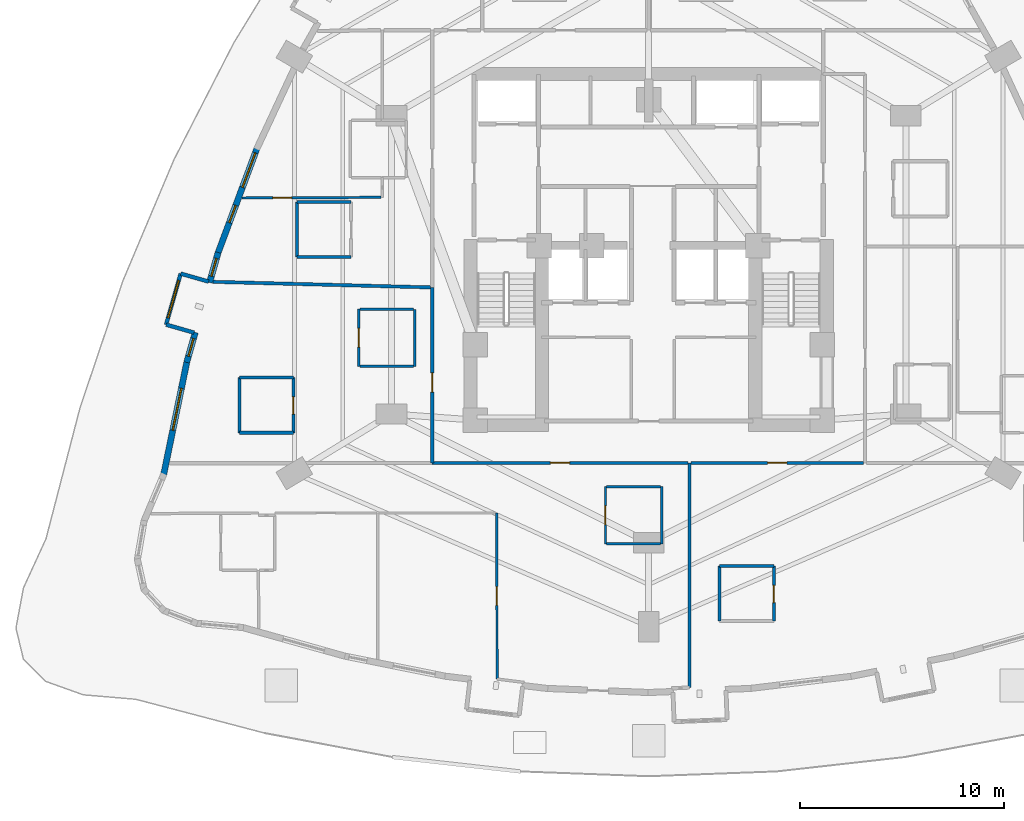
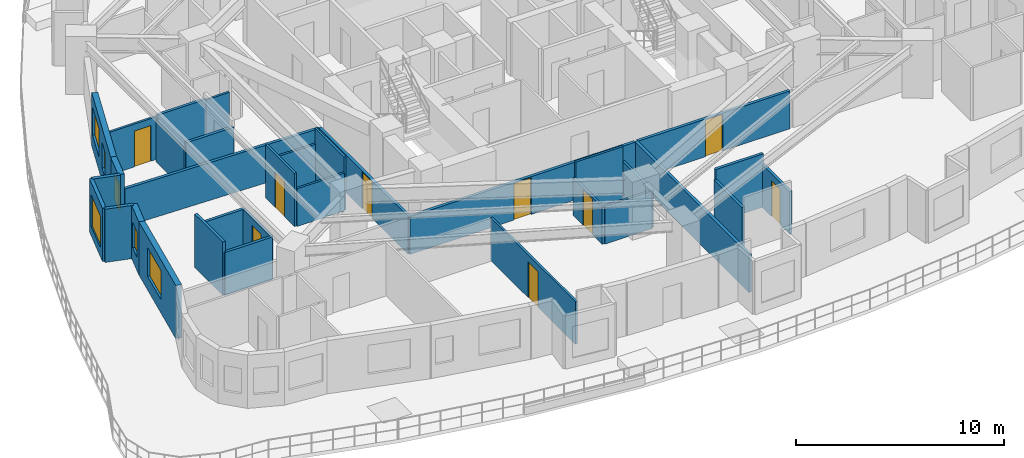
# One storey, part 9 of 17: 32 walls, 9 doors, 6 windows, 15 openings.
"""IFC4 building model written with IfcOpenShell, lengths in metres."""

from ifc_helpers import new_model, si_unit, direction, frame, frame_2d, origin, place, context, subcontext, project, spatial, rectangle, extrude, material, layer, layer_set, type_object, element, fill, save


model = new_model("IFC4")

# Units and contexts
model_context = context("Model", 3, precision=1e-05, world=origin(), true_north=direction((0.0, 1.0)))
body_context = subcontext(model_context, "Body", "Model", "MODEL_VIEW")
ifc_project = project(units=[si_unit("LENGTHUNIT", "METRE"), si_unit("AREAUNIT", "SQUARE_METRE"), si_unit("VOLUMEUNIT", "CUBIC_METRE"), si_unit("PLANEANGLEUNIT", "RADIAN"), si_unit("MASSUNIT", "GRAM", prefix="KILO")], contexts=[model_context])

# Site, building, storey
site_placement = place(None, origin())
site = spatial("IfcSite", under=ifc_project, at=site_placement, CompositionType="ELEMENT")
building_placement = place(site_placement, origin())
building = spatial("IfcBuilding", under=site, at=building_placement, Name="Miruveldt Soraemaru", CompositionType="ELEMENT")
storey_placement = place(building_placement, frame((0.0, 0.0, 29.199951171875)))
storey = spatial("IfcBuildingStorey", under=building, at=storey_placement, Name="L07", CompositionType="ELEMENT", Elevation=29.199951171875)

# Walls
ifc_material_1 = material(Name="White powder-coated aluminium EN AW-6060 T6", Category="aluminium")
ifc_layer_1 = layer(ifc_material_1, 0.18994140625, Name="White powder-coated aluminium EN AW-6060 T6", Category="aluminium")
ifc_layer_set_1 = layer_set([ifc_layer_1], Name="White powder-coated aluminium EN AW-6060 T6")
wall_type_1 = type_object("IfcWallType", Name="WALL-BAY-ALU190", PredefinedType="SOLIDWALL", material=ifc_layer_set_1)
wall_1_placement = place(storey_placement, frame((22.44482421875, 42.28369140625, 0.0), z_axis=(0.0, 0.0, 1.0), x_axis=(-0.961407497968, 0.27512837522, 0.0)))
element("IfcWall", 1, at=wall_1_placement, inside=storey, type_object=wall_type_1, Name="L07 Bay Window Side Cheek 3L", PredefinedType="SOLIDWALL", context=body_context, shape_type="SweptSolid", body=[
    extrude(rectangle(XDim=1.425048828125, YDim=0.18994140625, at=frame_2d((0.71240234375, 0.0))), origin(), (0.0, 0.0, 1.0), 3.125),
])
wall_2_placement = place(storey_placement, frame((20.35986328125, 40.17578125, 0.0), z_axis=(0.0, 0.0, 1.0), x_axis=(0.961439844578, -0.275015318223, 0.0)))
element("IfcWall", 2, at=wall_2_placement, inside=storey, type_object=wall_type_1, Name="L07 Bay Window Side Cheek 3R", PredefinedType="SOLIDWALL", context=body_context, shape_type="SweptSolid", body=[
    extrude(rectangle(XDim=1.4248046875, YDim=0.18994140625, at=frame_2d((0.71240234375, 0.0))), origin(), (0.0, 0.0, 1.0), 3.125),
])

# Wall, opening, window
wall_3_placement = place(storey_placement, frame((21.07470703125, 42.67578125, 0.0), z_axis=(0.0, 0.0, 1.0), x_axis=(-0.274919538046, -0.961467236883, 0.0)))
wall_3 = element("IfcWall", 3, at=wall_3_placement, inside=storey, type_object=wall_type_1, Name="L07 Bay Window Front Frame 3", PredefinedType="SOLIDWALL", context=body_context, shape_type="SweptSolid", body=[
    extrude(rectangle(XDim=2.60009765625, YDim=0.18994140625, at=frame_2d((1.300048828125, 0.0))), origin(), (0.0, 0.0, 1.0), 3.125),
])
opening_1_placement = place(wall_3_placement, frame((0.35009765625, 0.0, 0.550048828125)))
opening_1 = element("IfcOpeningElement", 4, at=opening_1_placement, cuts=wall_3, Name="Opening WN-6", PredefinedType="OPENING", context=body_context, shape_type="SweptSolid", body=[
    extrude(rectangle(XDim=1.89990234375, YDim=1.85009765625, at=frame_2d((0.949951171875, 0.925048828125))), frame((0.0, 0.10498046875, 0.0), z_axis=(0.0, -1.0, 0.0), x_axis=(1.0, 0.0, 0.0)), (0.0, 0.0, 1.0), 0.2099609375),
])
ifc_material_2 = material(Name="Triple low-e insulated glazing", Category="glass")
window_type_1 = type_object("IfcWindowType", Name="WIN-BAYW-1900x1850", PartitioningType="SINGLE_PANEL", PredefinedType="WINDOW", material=ifc_material_2)
window_1_placement = place(opening_1_placement, origin())
window_1 = element("IfcWindow", 5, at=window_1_placement, inside=storey, type_object=window_type_1, Name="L07 Projecting Bay Window 3", OverallHeight=1.85009765625, OverallWidth=1.89990234375, PartitioningType="SINGLE_PANEL", PredefinedType="WINDOW", context=body_context, shape_type="SweptSolid", body=[
    extrude(rectangle(XDim=1.89990234375, YDim=1.85009765625, at=frame_2d((0.949951171875, 0.925048828125))), frame((0.0, 0.030029296875, 0.0), z_axis=(0.0, -1.0, 0.0), x_axis=(1.0, 0.0, 0.0)), (0.0, 0.0, 1.0), 0.06005859375),
])
fill(opening_1, window_1)

# Wall, openings, windows
ifc_material_3 = material(Name="Precast concrete C45/55 (45 MPa)", Category="concrete")
ifc_layer_2 = layer(ifc_material_3, 0.300048828125, Name="Precast concrete C45/55 (45 MPa)", Category="concrete")
ifc_layer_set_2 = layer_set([ifc_layer_2], Name="Precast concrete C45/55 (45 MPa)")
wall_type_2 = type_object("IfcWallType", Name="WALL-EXT-PC300", PredefinedType="SOLIDWALL", material=ifc_layer_set_2)
wall_4_placement = place(storey_placement, frame((24.820556640625, 48.832763671875, 0.0), z_axis=(0.0, 0.0, 1.0), x_axis=(-0.349000413077, -0.93712257025, 0.0)))
wall_4 = element("IfcWall", 6, at=wall_4_placement, inside=storey, type_object=wall_type_2, Name="L07 Precast Concrete Facade Wall 12", PredefinedType="SOLIDWALL", context=body_context, shape_type="SweptSolid", body=[
    extrude(rectangle(XDim=5.53466796875, YDim=0.300048828125, at=frame_2d((2.767333984375, 0.0))), origin(), (0.0, 0.0, 1.0), 3.125),
])
opening_2_placement = place(wall_4_placement, frame((0.258056640625, 0.0, 0.800048828125)))
opening_2 = element("IfcOpeningElement", 7, at=opening_2_placement, cuts=wall_4, Name="Opening WN-2", PredefinedType="OPENING", context=body_context, shape_type="SweptSolid", body=[
    extrude(rectangle(XDim=1.800048828125, YDim=1.64990234375, at=frame_2d((0.89990234375, 0.824951171875))), frame((0.0, 0.16015625, 0.0), z_axis=(0.0, -1.0, 0.0), x_axis=(1.0, 0.0, 0.0)), (0.0, 0.0, 1.0), 0.320068359375),
])
opening_3_placement = place(wall_4_placement, frame((3.006103515625, 0.0, 0.780029296875)))
opening_3 = element("IfcOpeningElement", 8, at=opening_3_placement, cuts=wall_4, Name="Opening WN-7", PredefinedType="OPENING", context=body_context, shape_type="SweptSolid", body=[
    extrude(rectangle(XDim=0.89990234375, YDim=1.5, at=frame_2d((0.449951171875, 0.75))), frame((0.0, 0.16015625, 0.0), z_axis=(0.0, -1.0, 0.0), x_axis=(1.0, 0.0, 0.0)), (0.0, 0.0, 1.0), 0.320068359375),
])
window_type_2 = type_object("IfcWindowType", Name="WIN-PUNCH-1800x1650", PartitioningType="SINGLE_PANEL", PredefinedType="WINDOW", material=ifc_material_2)
window_2_placement = place(opening_2_placement, origin())
window_2 = element("IfcWindow", 9, at=window_2_placement, inside=storey, type_object=window_type_2, Name="L07 Punched Triple-Glazed Window 12.1", OverallHeight=1.64990234375, OverallWidth=1.800048828125, PartitioningType="SINGLE_PANEL", PredefinedType="WINDOW", context=body_context, shape_type="SweptSolid", body=[
    extrude(rectangle(XDim=1.800048828125, YDim=1.64990234375, at=frame_2d((0.89990234375, 0.824951171875))), frame((0.0, 0.030029296875, 0.0), z_axis=(0.0, -1.0, 0.0), x_axis=(1.0, 0.0, 0.0)), (0.0, 0.0, 1.0), 0.06005859375),
])
fill(opening_2, window_2)
window_type_3 = type_object("IfcWindowType", Name="WIN-PUNCH-900x1500", PartitioningType="SINGLE_PANEL", PredefinedType="WINDOW", material=ifc_material_2)
window_3_placement = place(opening_3_placement, origin())
window_3 = element("IfcWindow", 10, at=window_3_placement, inside=storey, type_object=window_type_3, Name="L07 Punched Triple-Glazed Window 12.2", OverallHeight=1.5, OverallWidth=0.89990234375, PartitioningType="SINGLE_PANEL", PredefinedType="WINDOW", context=body_context, shape_type="SweptSolid", body=[
    extrude(rectangle(XDim=0.89990234375, YDim=1.5, at=frame_2d((0.449951171875, 0.75))), frame((0.0, 0.030029296875, 0.0), z_axis=(0.0, -1.0, 0.0), x_axis=(1.0, 0.0, 0.0)), (0.0, 0.0, 1.0), 0.06005859375),
])
fill(opening_3, window_3)

# Wall, opening, window
wall_5_placement = place(storey_placement, frame((22.91064453125, 43.71240234375, 0.0), z_axis=(0.0, 0.0, 1.0), x_axis=(-0.274994833253, -0.961445703971, 0.0)))
wall_5 = element("IfcWall", 11, at=wall_5_placement, inside=storey, type_object=wall_type_2, Name="L07 Precast Pier Wall 13A", PredefinedType="SOLIDWALL", context=body_context, shape_type="SweptSolid", body=[
    extrude(rectangle(XDim=1.531494140625, YDim=0.300048828125, at=frame_2d((0.765625, 0.0))), origin(), (0.0, 0.0, 1.0), 3.125),
])
opening_4_placement = place(wall_5_placement, frame((0.30908203125, 0.0, 0.780029296875)))
opening_4 = element("IfcOpeningElement", 12, at=opening_4_placement, cuts=wall_5, Name="Opening WN-7", PredefinedType="OPENING", context=body_context, shape_type="SweptSolid", body=[
    extrude(rectangle(XDim=0.89990234375, YDim=1.5, at=frame_2d((0.449951171875, 0.75))), frame((0.0, 0.16015625, 0.0), z_axis=(0.0, -1.0, 0.0), x_axis=(1.0, 0.0, 0.0)), (0.0, 0.0, 1.0), 0.320068359375),
])
window_4_placement = place(opening_4_placement, origin())
window_4 = element("IfcWindow", 13, at=window_4_placement, inside=storey, type_object=window_type_3, Name="L07 Punched Triple-Glazed Window 13A.1", OverallHeight=1.5, OverallWidth=0.89990234375, PartitioningType="SINGLE_PANEL", PredefinedType="WINDOW", context=body_context, shape_type="SweptSolid", body=[
    extrude(rectangle(XDim=0.89990234375, YDim=1.5, at=frame_2d((0.449951171875, 0.75))), frame((0.0, 0.030029296875, 0.0), z_axis=(0.0, -1.0, 0.0), x_axis=(1.0, 0.0, 0.0)), (0.0, 0.0, 1.0), 0.06005859375),
])
fill(opening_4, window_4)

wall_6_placement = place(storey_placement, frame((21.791015625, 39.797607421875, 0.0), z_axis=(0.0, 0.0, 1.0), x_axis=(-0.274994833253, -0.961445703971, 0.0)))
wall_6 = element("IfcWall", 14, at=wall_6_placement, inside=storey, type_object=wall_type_2, Name="L07 Precast Pier Wall 13B", PredefinedType="SOLIDWALL", context=body_context, shape_type="SweptSolid", body=[
    extrude(rectangle(XDim=1.531494140625, YDim=0.300048828125, at=frame_2d((0.765625, 0.0))), origin(), (0.0, 0.0, 1.0), 3.125),
])
opening_5_placement = place(wall_6_placement, frame((0.31591796875, 0.0, 0.780029296875)))
opening_5 = element("IfcOpeningElement", 15, at=opening_5_placement, cuts=wall_6, Name="Opening WN-7", PredefinedType="OPENING", context=body_context, shape_type="SweptSolid", body=[
    extrude(rectangle(XDim=0.89990234375, YDim=1.5, at=frame_2d((0.449951171875, 0.75))), frame((0.0, 0.16015625, 0.0), z_axis=(0.0, -1.0, 0.0), x_axis=(1.0, 0.0, 0.0)), (0.0, 0.0, 1.0), 0.320068359375),
])
window_5_placement = place(opening_5_placement, origin())
window_5 = element("IfcWindow", 16, at=window_5_placement, inside=storey, type_object=window_type_3, Name="L07 Punched Triple-Glazed Window 13B.1", OverallHeight=1.5, OverallWidth=0.89990234375, PartitioningType="SINGLE_PANEL", PredefinedType="WINDOW", context=body_context, shape_type="SweptSolid", body=[
    extrude(rectangle(XDim=0.89990234375, YDim=1.5, at=frame_2d((0.449951171875, 0.75))), frame((0.0, 0.030029296875, 0.0), z_axis=(0.0, -1.0, 0.0), x_axis=(1.0, 0.0, 0.0)), (0.0, 0.0, 1.0), 0.06005859375),
])
fill(opening_5, window_5)

wall_7_placement = place(storey_placement, frame((21.386474609375, 38.39306640625, 0.0), z_axis=(0.0, 0.0, 1.0), x_axis=(-0.201578050416, -0.979472454738, 0.0)))
wall_7 = element("IfcWall", 17, at=wall_7_placement, inside=storey, type_object=wall_type_2, Name="L07 Precast Concrete Facade Wall 14", PredefinedType="SOLIDWALL", context=body_context, shape_type="SweptSolid", body=[
    extrude(rectangle(XDim=5.70458984375, YDim=0.300048828125, at=frame_2d((2.852294921875, 0.0))), origin(), (0.0, 0.0, 1.0), 3.125),
])
opening_6_placement = place(wall_7_placement, frame((1.3701171875, 0.0, 0.800048828125)))
opening_6 = element("IfcOpeningElement", 18, at=opening_6_placement, cuts=wall_7, Name="Opening WN-1", PredefinedType="OPENING", context=body_context, shape_type="SweptSolid", body=[
    extrude(rectangle(XDim=2.10009765625, YDim=1.699951171875, at=frame_2d((1.050048828125, 0.85009765625))), frame((0.0, 0.16015625, 0.0), z_axis=(0.0, -1.0, 0.0), x_axis=(1.0, 0.0, 0.0)), (0.0, 0.0, 1.0), 0.320068359375),
])
window_type_4 = type_object("IfcWindowType", Name="WIN-PUNCH-2100x1700", PartitioningType="SINGLE_PANEL", PredefinedType="WINDOW", material=ifc_material_2)
window_6_placement = place(opening_6_placement, origin())
window_6 = element("IfcWindow", 19, at=window_6_placement, inside=storey, type_object=window_type_4, Name="L07 Punched Triple-Glazed Window 14.1", OverallHeight=1.699951171875, OverallWidth=2.10009765625, PartitioningType="SINGLE_PANEL", PredefinedType="WINDOW", context=body_context, shape_type="SweptSolid", body=[
    extrude(rectangle(XDim=2.10009765625, YDim=1.699951171875, at=frame_2d((1.050048828125, 0.85009765625))), frame((0.0, 0.030029296875, 0.0), z_axis=(0.0, -1.0, 0.0), x_axis=(1.0, 0.0, 0.0)), (0.0, 0.0, 1.0), 0.06005859375),
])
fill(opening_6, window_6)

# Wall, opening, door
ifc_material_4 = material(Name="Gypsum plasterboard lining", Category="gypsum")
ifc_layer_3 = layer(ifc_material_4, 0.1201171875, Name="Gypsum plasterboard lining", Category="gypsum")
ifc_layer_set_3 = layer_set([ifc_layer_3], Name="Gypsum plasterboard lining")
wall_type_3 = type_object("IfcWallType", Name="WALL-INT-P120", PredefinedType="PARTITIONING", material=ifc_layer_set_3)
wall_8_placement = place(storey_placement, frame((36.56298828125, 30.949951171875, 0.0), z_axis=(0.0, 0.0, 1.0), x_axis=(0.001230454337, -0.999999242991, 0.0)))
wall_8 = element("IfcWall", 20, at=wall_8_placement, inside=storey, type_object=wall_type_3, Name="L07 Partition Wall 95", PredefinedType="PARTITIONING", context=body_context, shape_type="SweptSolid", body=[
    extrude(rectangle(XDim=8.135009765625, YDim=0.1201171875, at=frame_2d((4.0673828125, 0.0))), origin(), (0.0, 0.0, 1.0), 2.512939453125),
])
opening_7_placement = place(wall_8_placement, frame((3.60791015625, 0.0, 0.0)))
opening_7 = element("IfcOpeningElement", 21, at=opening_7_placement, cuts=wall_8, Name="Opening D3A", PredefinedType="OPENING", context=body_context, shape_type="SweptSolid", body=[
    extrude(rectangle(XDim=0.919921875, YDim=2.10009765625, at=frame_2d((0.4599609375, 1.050048828125))), frame((0.0, 0.070068359375, 0.0), z_axis=(0.0, -1.0, 0.0), x_axis=(1.0, 0.0, 0.0)), (0.0, 0.0, 1.0), 0.14013671875),
])
ifc_material_5 = material(Name="Anodised aluminium EN AW-6063 T6", Category="aluminium")
door_type_1 = type_object("IfcDoorType", Name="DOOR-INT-920", OperationType="NOTDEFINED", PredefinedType="DOOR", material=ifc_material_5)
door_1_placement = place(opening_7_placement, origin())
door_1 = element("IfcDoor", 22, at=door_1_placement, inside=storey, type_object=door_type_1, Name="L07 Unit 0708 BD3 Door", OperationType="SINGLE_SWING_RIGHT", OverallHeight=2.10009765625, OverallWidth=0.919921875, PredefinedType="DOOR", context=body_context, shape_type="SweptSolid", body=[
    extrude(rectangle(XDim=0.919921875, YDim=2.10009765625, at=frame_2d((0.4599609375, 1.050048828125))), frame((0.0, 0.02490234375, 0.0), z_axis=(0.0, -1.0, 0.0), x_axis=(1.0, 0.0, 0.0)), (0.0, 0.0, 1.0), 0.050048828125),
])
fill(opening_7, door_1)

wall_9_placement = place(storey_placement, frame((30.889892578125, 46.409912109375, 0.0), z_axis=(0.0, 0.0, 1.0), x_axis=(-0.999990269006, -0.004411563541, 0.0)))
wall_9 = element("IfcWall", 23, at=wall_9_placement, inside=storey, type_object=wall_type_3, Name="L07 Partition Wall 50", PredefinedType="PARTITIONING", context=body_context, shape_type="SweptSolid", body=[
    extrude(rectangle(XDim=6.806884765625, YDim=0.1201171875, at=frame_2d((3.4033203125, 0.0))), origin(), (0.0, 0.0, 1.0), 2.512939453125),
])
opening_8_placement = place(wall_9_placement, frame((4.384033203125, 0.0, 0.0)))
opening_8 = element("IfcOpeningElement", 24, at=opening_8_placement, cuts=wall_9, Name="Opening D3A", PredefinedType="OPENING", context=body_context, shape_type="SweptSolid", body=[
    extrude(rectangle(XDim=0.919921875, YDim=2.10009765625, at=frame_2d((0.4599609375, 1.050048828125))), frame((0.0, 0.070068359375, 0.0), z_axis=(0.0, -1.0, 0.0), x_axis=(1.0, 0.0, 0.0)), (0.0, 0.0, 1.0), 0.14013671875),
])
door_2_placement = place(opening_8_placement, origin())
door_2 = element("IfcDoor", 25, at=door_2_placement, inside=storey, type_object=door_type_1, Name="L07 Unit 0704 BD1 Door", OperationType="SINGLE_SWING_LEFT", OverallHeight=2.10009765625, OverallWidth=0.919921875, PredefinedType="DOOR", context=body_context, shape_type="SweptSolid", body=[
    extrude(rectangle(XDim=0.919921875, YDim=2.10009765625, at=frame_2d((0.4599609375, 1.050048828125))), frame((0.0, 0.02490234375, 0.0), z_axis=(0.0, -1.0, 0.0), x_axis=(1.0, 0.0, 0.0)), (0.0, 0.0, 1.0), 0.050048828125),
])
fill(opening_8, door_2)

wall_10_placement = place(storey_placement, frame((41.884033203125, 32.238037109375, 0.0), z_axis=(0.0, 0.0, 1.0), x_axis=(0.0, -1.0, 0.0)))
wall_10 = element("IfcWall", 26, at=wall_10_placement, inside=storey, type_object=wall_type_3, Name="L07 Partition Wall 87", PredefinedType="PARTITIONING", context=body_context, shape_type="SweptSolid", body=[
    extrude(rectangle(XDim=2.800048828125, YDim=0.1201171875, at=frame_2d((1.39990234375, 0.0))), origin(), (0.0, 0.0, 1.0), 2.219970703125),
])
opening_9_placement = place(wall_10_placement, frame((0.93994140625, 0.0, 0.0)))
opening_9 = element("IfcOpeningElement", 27, at=opening_9_placement, cuts=wall_10, Name="Opening D3A", PredefinedType="OPENING", context=body_context, shape_type="SweptSolid", body=[
    extrude(rectangle(XDim=0.919921875, YDim=2.10009765625, at=frame_2d((0.4599609375, 1.050048828125))), frame((0.0, 0.070068359375, 0.0), z_axis=(0.0, -1.0, 0.0), x_axis=(1.0, 0.0, 0.0)), (0.0, 0.0, 1.0), 0.14013671875),
])
door_3_placement = place(opening_9_placement, origin())
door_3 = element("IfcDoor", 28, at=door_3_placement, inside=storey, type_object=door_type_1, Name="L07 Unit 0708 KIT Door", OperationType="SINGLE_SWING_LEFT", OverallHeight=2.10009765625, OverallWidth=0.919921875, PredefinedType="DOOR", context=body_context, shape_type="SweptSolid", body=[
    extrude(rectangle(XDim=0.919921875, YDim=2.10009765625, at=frame_2d((0.4599609375, 1.050048828125))), frame((0.0, 0.02490234375, 0.0), z_axis=(0.0, -1.0, 0.0), x_axis=(1.0, 0.0, 0.0)), (0.0, 0.0, 1.0), 0.050048828125),
])
fill(opening_9, door_3)

wall_11_placement = place(storey_placement, frame((29.799072265625, 40.929931640625, 0.0), z_axis=(0.0, 0.0, 1.0), x_axis=(0.0, -1.0, 0.0)))
wall_11 = element("IfcWall", 29, at=wall_11_placement, inside=storey, type_object=wall_type_3, Name="L07 Partition Wall 61", PredefinedType="PARTITIONING", context=body_context, shape_type="SweptSolid", body=[
    extrude(rectangle(XDim=2.800048828125, YDim=0.1201171875, at=frame_2d((1.39990234375, 0.0))), origin(), (0.0, 0.0, 1.0), 3.125),
])
opening_10_placement = place(wall_11_placement, frame((0.93994140625, 0.0, 0.0)))
opening_10 = element("IfcOpeningElement", 30, at=opening_10_placement, cuts=wall_11, Name="Opening D3A", PredefinedType="OPENING", context=body_context, shape_type="SweptSolid", body=[
    extrude(rectangle(XDim=0.919921875, YDim=2.10009765625, at=frame_2d((0.4599609375, 1.050048828125))), frame((0.0, 0.070068359375, 0.0), z_axis=(0.0, -1.0, 0.0), x_axis=(1.0, 0.0, 0.0)), (0.0, 0.0, 1.0), 0.14013671875),
])
door_4_placement = place(opening_10_placement, origin())
door_4 = element("IfcDoor", 31, at=door_4_placement, inside=storey, type_object=door_type_1, Name="L07 Unit CL05 KIT Door", OperationType="SINGLE_SWING_RIGHT", OverallHeight=2.10009765625, OverallWidth=0.919921875, PredefinedType="DOOR", context=body_context, shape_type="SweptSolid", body=[
    extrude(rectangle(XDim=0.919921875, YDim=2.10009765625, at=frame_2d((0.4599609375, 1.050048828125))), frame((0.0, 0.02490234375, 0.0), z_axis=(0.0, -1.0, 0.0), x_axis=(1.0, 0.0, 0.0)), (0.0, 0.0, 1.0), 0.050048828125),
])
fill(opening_10, door_4)

# Walls
wall_12_placement = place(storey_placement, frame((44.634033203125, 29.43798828125, 0.0), z_axis=(0.0, 0.0, 1.0), x_axis=(0.0, 1.0, 0.0)))
element("IfcWall", 32, at=wall_12_placement, inside=storey, type_object=wall_type_3, Name="L07 Partition Wall 85", PredefinedType="PARTITIONING", context=body_context, shape_type="SweptSolid", body=[
    extrude(rectangle(XDim=2.800048828125, YDim=0.1201171875, at=frame_2d((1.39990234375, 0.0))), origin(), (0.0, 0.0, 1.0), 2.219970703125),
])
wall_13_placement = place(storey_placement, frame((32.549072265625, 38.1298828125, 0.0), z_axis=(0.0, 0.0, 1.0), x_axis=(0.0, 1.0, 0.0)))
element("IfcWall", 33, at=wall_13_placement, inside=storey, type_object=wall_type_3, Name="L07 Partition Wall 59", PredefinedType="PARTITIONING", context=body_context, shape_type="SweptSolid", body=[
    extrude(rectangle(XDim=2.800048828125, YDim=0.1201171875, at=frame_2d((1.39990234375, 0.0))), origin(), (0.0, 0.0, 1.0), 3.125),
])
for number, where, z_axis, x_axis, name in (
    (34, (32.489013671875, 40.929931640625, 0.0), (0.0, 0.0, 1.0), (-1.0, 0.0, 0.0), "L07 Partition Wall 60"),
    (35, (29.85888671875, 38.1298828125, 0.0), (0.0, 0.0, 1.0), (1.0, 0.0, 0.0), "L07 Partition Wall 62"),
):
    element("IfcWall", number, at=place(storey_placement, frame(where, z_axis=z_axis, x_axis=x_axis)), inside=storey, type_object=wall_type_3, Name=name, PredefinedType="PARTITIONING", context=body_context, shape_type="SweptSolid", body=[
        extrude(rectangle(XDim=2.630126953125, YDim=0.1201171875, at=frame_2d((1.31494140625, 0.0))), origin(), (0.0, 0.0, 1.0), 2.219970703125),
    ])
wall_14_placement = place(storey_placement, frame((44.573974609375, 32.238037109375, 0.0), z_axis=(0.0, 0.0, 1.0), x_axis=(-1.0, 0.0, 0.0)))
element("IfcWall", 36, at=wall_14_placement, inside=storey, type_object=wall_type_3, Name="L07 Partition Wall 86", PredefinedType="PARTITIONING", context=body_context, shape_type="SweptSolid", body=[
    extrude(rectangle(XDim=2.6298828125, YDim=0.1201171875, at=frame_2d((1.31494140625, 0.0))), origin(), (0.0, 0.0, 1.0), 3.125),
])
wall_15_placement = place(storey_placement, frame((41.944091796875, 29.43798828125, 0.0), z_axis=(0.0, 0.0, 1.0), x_axis=(1.0, 0.0, 0.0)))
element("IfcWall", 37, at=wall_15_placement, inside=storey, type_object=wall_type_3, Name="L07 Partition Wall 88", PredefinedType="PARTITIONING", context=body_context, shape_type="SweptSolid", body=[
    extrude(rectangle(XDim=2.6298828125, YDim=0.1201171875, at=frame_2d((1.31494140625, 0.0))), origin(), (0.0, 0.0, 1.0), 2.219970703125),
])

# Wall, opening, door
ifc_layer_4 = layer(ifc_material_4, 0.14990234375, Name="Gypsum plasterboard lining", Category="gypsum")
ifc_layer_set_4 = layer_set([ifc_layer_4], Name="Gypsum plasterboard lining")
wall_type_4 = type_object("IfcWallType", Name="WALL-INT-PLUMB", PredefinedType="PLUMBINGWALL", material=ifc_layer_set_4)
wall_16_placement = place(storey_placement, frame((50.1298828125, 25.64794921875, 0.0), z_axis=(0.0, 0.0, 1.0), x_axis=(0.0, 1.0, 0.0)))
wall_16 = element("IfcWall", 38, at=wall_16_placement, inside=storey, type_object=wall_type_4, Name="L07 Partition Wall 99", PredefinedType="PLUMBINGWALL", context=body_context, shape_type="SweptSolid", body=[
    extrude(rectangle(XDim=2.699951171875, YDim=0.14990234375, at=frame_2d((1.35009765625, 0.0))), origin(), (0.0, 0.0, 1.0), 2.512939453125),
])
opening_11_placement = place(wall_16_placement, frame((0.909912109375, 0.0, 0.0)))
opening_11 = element("IfcOpeningElement", 39, at=opening_11_placement, cuts=wall_16, Name="Opening FD3", PredefinedType="OPENING", context=body_context, shape_type="SweptSolid", body=[
    extrude(rectangle(XDim=0.85009765625, YDim=2.10009765625, at=frame_2d((0.425048828125, 1.050048828125))), frame((0.0, 0.0849609375, 0.0), z_axis=(0.0, -1.0, 0.0), x_axis=(1.0, 0.0, 0.0)), (0.0, 0.0, 1.0), 0.169921875),
])
door_type_2 = type_object("IfcDoorType", Name="DOOR-FD3-850", OperationType="NOTDEFINED", PredefinedType="DOOR", material=ifc_material_5)
door_5_placement = place(opening_11_placement, origin())
door_5 = element("IfcDoor", 40, at=door_5_placement, inside=storey, type_object=door_type_2, Name="L07 Unit CL09 BTH Door", OperationType="SINGLE_SWING_RIGHT", OverallHeight=2.10009765625, OverallWidth=0.85009765625, PredefinedType="DOOR", context=body_context, shape_type="SweptSolid", body=[
    extrude(rectangle(XDim=0.85009765625, YDim=2.10009765625, at=frame_2d((0.425048828125, 1.050048828125))), frame((0.0, 0.02490234375, 0.0), z_axis=(0.0, -1.0, 0.0), x_axis=(1.0, 0.0, 0.0)), (0.0, 0.0, 1.0), 0.050048828125),
])
fill(opening_11, door_5)

wall_17_placement = place(storey_placement, frame((26.59912109375, 34.8798828125, 0.0), z_axis=(0.0, 0.0, 1.0), x_axis=(0.0, 1.0, 0.0)))
wall_17 = element("IfcWall", 41, at=wall_17_placement, inside=storey, type_object=wall_type_4, Name="L07 Partition Wall 55", PredefinedType="PLUMBINGWALL", context=body_context, shape_type="SweptSolid", body=[
    extrude(rectangle(XDim=2.7001953125, YDim=0.14990234375, at=frame_2d((1.35009765625, 0.0))), origin(), (0.0, 0.0, 1.0), 2.512939453125),
])
opening_12_placement = place(wall_17_placement, frame((0.909912109375, 0.0, 0.0)))
opening_12 = element("IfcOpeningElement", 42, at=opening_12_placement, cuts=wall_17, Name="Opening FD3", PredefinedType="OPENING", context=body_context, shape_type="SweptSolid", body=[
    extrude(rectangle(XDim=0.85009765625, YDim=2.10009765625, at=frame_2d((0.425048828125, 1.050048828125))), frame((0.0, 0.0849609375, 0.0), z_axis=(0.0, -1.0, 0.0), x_axis=(1.0, 0.0, 0.0)), (0.0, 0.0, 1.0), 0.169921875),
])
door_6_placement = place(opening_12_placement, origin())
door_6 = element("IfcDoor", 43, at=door_6_placement, inside=storey, type_object=door_type_2, Name="L07 Unit CL05 BTH Door", OperationType="SINGLE_SWING_LEFT", OverallHeight=2.10009765625, OverallWidth=0.85009765625, PredefinedType="DOOR", context=body_context, shape_type="SweptSolid", body=[
    extrude(rectangle(XDim=0.85009765625, YDim=2.10009765625, at=frame_2d((0.425048828125, 1.050048828125))), frame((0.0, 0.02490234375, 0.0), z_axis=(0.0, -1.0, 0.0), x_axis=(1.0, 0.0, 0.0)), (0.0, 0.0, 1.0), 0.050048828125),
])
fill(opening_12, door_6)

# Walls
for number, where, z_axis, x_axis, name in (
    (44, (26.77197265625, 46.179931640625, 0.0), (0.0, 0.0, 1.0), (0.0, -1.0, 0.0), "L07 Partition Wall 43"),
    (45, (47.47998046875, 28.347900390625, 0.0), (0.0, 0.0, 1.0), (0.0, -1.0, 0.0), "L07 Partition Wall 101"),
):
    element("IfcWall", number, at=place(storey_placement, frame(where, z_axis=z_axis, x_axis=x_axis)), inside=storey, type_object=wall_type_4, Name=name, PredefinedType="PLUMBINGWALL", context=body_context, shape_type="SweptSolid", body=[
        extrude(rectangle(XDim=2.699951171875, YDim=0.14990234375, at=frame_2d((1.35009765625, 0.0))), origin(), (0.0, 0.0, 1.0), 2.512939453125),
    ])
wall_18_placement = place(storey_placement, frame((23.948974609375, 37.580078125, 0.0), z_axis=(0.0, 0.0, 1.0), x_axis=(0.0, -1.0, 0.0)))
element("IfcWall", 46, at=wall_18_placement, inside=storey, type_object=wall_type_4, Name="L07 Partition Wall 57", PredefinedType="PLUMBINGWALL", context=body_context, shape_type="SweptSolid", body=[
    extrude(rectangle(XDim=2.7001953125, YDim=0.14990234375, at=frame_2d((1.35009765625, 0.0))), origin(), (0.0, 0.0, 1.0), 3.125),
])
wall_19_placement = place(storey_placement, frame((50.1298828125, 28.347900390625, 0.0), z_axis=(0.0, 0.0, 1.0), x_axis=(-1.0, 0.0, 0.0)))
element("IfcWall", 47, at=wall_19_placement, inside=storey, type_object=wall_type_4, Name="L07 Partition Wall 100", PredefinedType="PLUMBINGWALL", context=body_context, shape_type="SweptSolid", body=[
    extrude(rectangle(XDim=2.64990234375, YDim=0.14990234375, at=frame_2d((1.324951171875, 0.0))), origin(), (0.0, 0.0, 1.0), 3.125),
])
for number, where, z_axis, x_axis, name in (
    (48, (29.422119140625, 46.179931640625, 0.0), (0.0, 0.0, 1.0), (-1.0, 0.0, 0.0), "L07 Partition Wall 42"),
    (49, (26.77197265625, 43.47998046875, 0.0), (0.0, 0.0, 1.0), (1.0, 0.0, 0.0), "L07 Partition Wall 44"),
):
    element("IfcWall", number, at=place(storey_placement, frame(where, z_axis=z_axis, x_axis=x_axis)), inside=storey, type_object=wall_type_4, Name=name, PredefinedType="PLUMBINGWALL", context=body_context, shape_type="SweptSolid", body=[
        extrude(rectangle(XDim=2.650146484375, YDim=0.14990234375, at=frame_2d((1.3251953125, 0.0))), origin(), (0.0, 0.0, 1.0), 2.762939453125),
    ])
for number, where, z_axis, x_axis, name in (
    (50, (26.59912109375, 37.580078125, 0.0), (0.0, 0.0, 1.0), (-1.0, 0.0, 0.0), "L07 Partition Wall 56"),
    (51, (23.948974609375, 34.8798828125, 0.0), (0.0, 0.0, 1.0), (1.0, 0.0, 0.0), "L07 Partition Wall 58"),
):
    element("IfcWall", number, at=place(storey_placement, frame(where, z_axis=z_axis, x_axis=x_axis)), inside=storey, type_object=wall_type_4, Name=name, PredefinedType="PLUMBINGWALL", context=body_context, shape_type="SweptSolid", body=[
        extrude(rectangle(XDim=2.650146484375, YDim=0.14990234375, at=frame_2d((1.3251953125, 0.0))), origin(), (0.0, 0.0, 1.0), 2.512939453125),
    ])

# Wall, opening, door
ifc_material_6 = material(Name="Concrete C40/50 (40 MPa)", Category="concrete")
ifc_layer_5 = layer(ifc_material_6, 0.159912109375, Name="Concrete C40/50 (40 MPa)", Category="concrete")
ifc_layer_set_5 = layer_set([ifc_layer_5], Name="Concrete C40/50 (40 MPa)")
wall_type_5 = type_object("IfcWallType", Name="WALL-INT-RC160", PredefinedType="SOLIDWALL", material=ifc_layer_set_5)
wall_20_placement = place(storey_placement, frame((33.389892578125, 33.39990234375, 0.0), z_axis=(0.0, 0.0, 1.0), x_axis=(1.0, 0.0, 0.0)))
wall_20 = element("IfcWall", 52, at=wall_20_placement, inside=storey, type_object=wall_type_5, Name="L07 Partition Wall 10", PredefinedType="SOLIDWALL", context=body_context, shape_type="SweptSolid", body=[
    extrude(rectangle(XDim=12.527099609375, YDim=0.159912109375, at=frame_2d((6.263671875, 0.0))), origin(), (0.0, 0.0, 1.0), 2.219970703125),
])
opening_13_placement = place(wall_20_placement, frame((5.7890625, 0.0, 0.0)))
opening_13 = element("IfcOpeningElement", 53, at=opening_13_placement, cuts=wall_20, Name="Opening FD2", PredefinedType="OPENING", context=body_context, shape_type="SweptSolid", body=[
    extrude(rectangle(XDim=0.949951171875, YDim=2.14990234375, at=frame_2d((0.47509765625, 1.074951171875))), frame((0.0, 0.08984375, 0.0), z_axis=(0.0, -1.0, 0.0), x_axis=(1.0, 0.0, 0.0)), (0.0, 0.0, 1.0), 0.179931640625),
])
door_type_3 = type_object("IfcDoorType", Name="DOOR-FD2-950", OperationType="NOTDEFINED", PredefinedType="DOOR", material=ifc_material_5)
door_7_placement = place(opening_13_placement, origin())
door_7 = element("IfcDoor", 54, at=door_7_placement, inside=storey, type_object=door_type_3, Name="L07 Unit 0708 Entrance Fire Door", OperationType="SINGLE_SWING_RIGHT", OverallHeight=2.14990234375, OverallWidth=0.949951171875, PredefinedType="DOOR", context=body_context, shape_type="SweptSolid", body=[
    extrude(rectangle(XDim=0.949951171875, YDim=2.14990234375, at=frame_2d((0.47509765625, 1.074951171875))), frame((0.0, 0.02490234375, 0.0), z_axis=(0.0, -1.0, 0.0), x_axis=(1.0, 0.0, 0.0)), (0.0, 0.0, 1.0), 0.050048828125),
])
fill(opening_13, door_7)

wall_21_placement = place(storey_placement, frame((33.39990234375, 42.0, 0.0), z_axis=(0.0, 0.0, 1.0), x_axis=(0.0, -1.0, 0.0)))
wall_21 = element("IfcWall", 55, at=wall_21_placement, inside=storey, type_object=wall_type_5, Name="L07 Partition Wall 5", PredefinedType="SOLIDWALL", context=body_context, shape_type="SweptSolid", body=[
    extrude(rectangle(XDim=8.60009765625, YDim=0.159912109375, at=frame_2d((4.300048828125, 0.0))), origin(), (0.0, 0.0, 1.0), 2.219970703125),
])
opening_14_placement = place(wall_21_placement, frame((4.18505859375, 0.0, 0.0)))
opening_14 = element("IfcOpeningElement", 56, at=opening_14_placement, cuts=wall_21, Name="Opening FD2", PredefinedType="OPENING", context=body_context, shape_type="SweptSolid", body=[
    extrude(rectangle(XDim=0.949951171875, YDim=2.14990234375, at=frame_2d((0.47509765625, 1.074951171875))), frame((0.0, 0.08984375, 0.0), z_axis=(0.0, -1.0, 0.0), x_axis=(1.0, 0.0, 0.0)), (0.0, 0.0, 1.0), 0.179931640625),
])
door_8_placement = place(opening_14_placement, origin())
door_8 = element("IfcDoor", 57, at=door_8_placement, inside=storey, type_object=door_type_3, Name="L07 Unit CL05 Entrance Fire Door", OperationType="SINGLE_SWING_RIGHT", OverallHeight=2.14990234375, OverallWidth=0.949951171875, PredefinedType="DOOR", context=body_context, shape_type="SweptSolid", body=[
    extrude(rectangle(XDim=0.949951171875, YDim=2.14990234375, at=frame_2d((0.47509765625, 1.074951171875))), frame((0.0, 0.02490234375, 0.0), z_axis=(0.0, -1.0, 0.0), x_axis=(1.0, 0.0, 0.0)), (0.0, 0.0, 1.0), 0.050048828125),
])
fill(opening_14, door_8)

wall_22_placement = place(storey_placement, frame((46.080078125, 33.39990234375, 0.0), z_axis=(0.0, 0.0, 1.0), x_axis=(1.0, 0.0, 0.0)))
wall_22 = element("IfcWall", 58, at=wall_22_placement, inside=storey, type_object=wall_type_5, Name="L07 Partition Wall 11", PredefinedType="SOLIDWALL", context=body_context, shape_type="SweptSolid", body=[
    extrude(rectangle(XDim=8.43994140625, YDim=0.159912109375, at=frame_2d((4.219970703125, 0.0))), origin(), (0.0, 0.0, 1.0), 2.219970703125),
])
opening_15_placement = place(wall_22_placement, frame((3.7451171875, 0.0, 0.0)))
opening_15 = element("IfcOpeningElement", 59, at=opening_15_placement, cuts=wall_22, Name="Opening FD2", PredefinedType="OPENING", context=body_context, shape_type="SweptSolid", body=[
    extrude(rectangle(XDim=0.949951171875, YDim=2.14990234375, at=frame_2d((0.47509765625, 1.074951171875))), frame((0.0, 0.08984375, 0.0), z_axis=(0.0, -1.0, 0.0), x_axis=(1.0, 0.0, 0.0)), (0.0, 0.0, 1.0), 0.179931640625),
])
door_9_placement = place(opening_15_placement, origin())
door_9 = element("IfcDoor", 60, at=door_9_placement, inside=storey, type_object=door_type_3, Name="L07 Unit CL09 Entrance Fire Door", OperationType="SINGLE_SWING_LEFT", OverallHeight=2.14990234375, OverallWidth=0.949951171875, PredefinedType="DOOR", context=body_context, shape_type="SweptSolid", body=[
    extrude(rectangle(XDim=0.949951171875, YDim=2.14990234375, at=frame_2d((0.47509765625, 1.074951171875))), frame((0.0, 0.02490234375, 0.0), z_axis=(0.0, -1.0, 0.0), x_axis=(1.0, 0.0, 0.0)), (0.0, 0.0, 1.0), 0.050048828125),
])
fill(opening_15, door_9)

# Walls
wall_23_placement = place(storey_placement, frame((45.9970703125, 22.39990234375, 0.0), z_axis=(0.0, 0.0, 1.0), x_axis=(0.000266335218, 0.999999964533, 0.0)))
element("IfcWall", 61, at=wall_23_placement, inside=storey, type_object=wall_type_5, Name="L07 Partition Wall 96", PredefinedType="SOLIDWALL", context=body_context, shape_type="SweptSolid", body=[
    extrude(rectangle(XDim=11.0, YDim=0.159912109375, at=frame_2d((5.5, 0.0))), origin(), (0.0, 0.0, 1.0), 2.219970703125),
])
wall_24_placement = place(storey_placement, frame((22.663330078125, 42.2734375, 0.0), z_axis=(0.0, 0.0, 1.0), x_axis=(0.999670979336, -0.025650206114, 0.0)))
element("IfcWall", 62, at=wall_24_placement, inside=storey, type_object=wall_type_5, Name="L07 Partition Wall 51", PredefinedType="SOLIDWALL", context=body_context, shape_type="SweptSolid", body=[
    extrude(rectangle(XDim=10.66015625, YDim=0.159912109375, at=frame_2d((5.330078125, 0.0))), origin(), (0.0, 0.0, 1.0), 2.219970703125),
])

save(model, "model.ifc")
